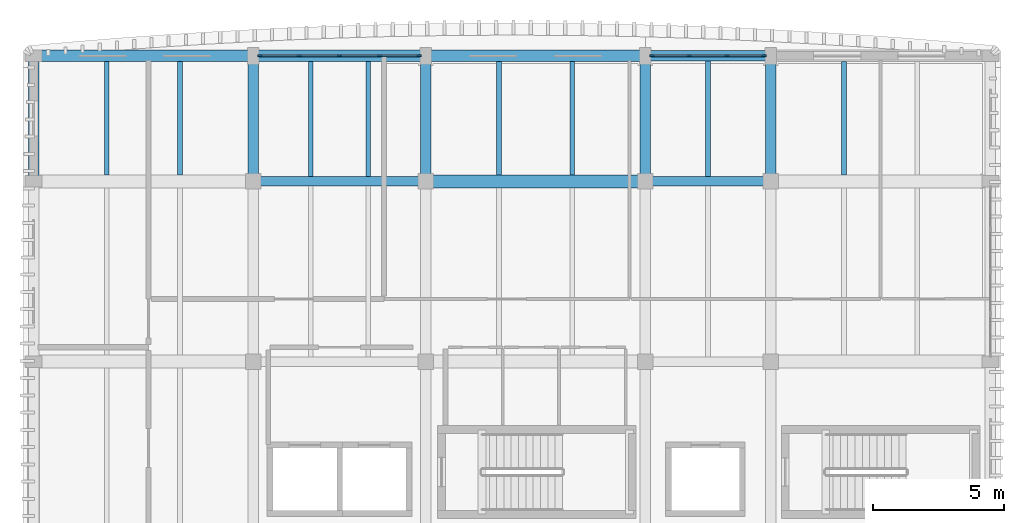
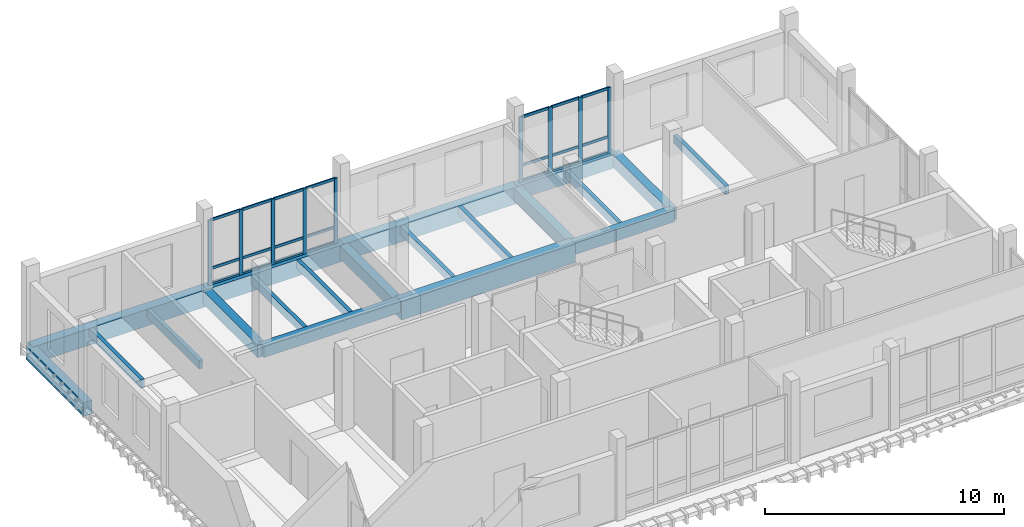
# One storey, part 4 of 16: 30 members, 20 beams, 2 elements without a shape of their own.
"""IFC4 building model written with IfcOpenShell, lengths in metres."""

from ifc_helpers import new_model, si_unit, direction, frame, origin, origin_2d, place, context, subcontext, project, spatial, rectangle, extrude, material, material_profile, profile_set, type_object, element, aggregate, save


model = new_model("IFC4")

# Units and contexts
model_context = context("Model", 3, precision=1e-05, world=origin(), true_north=direction((0.0, 1.0)))
body_context = subcontext(model_context, "Body", "Model", "MODEL_VIEW")
ifc_project = project(units=[si_unit("LENGTHUNIT", "METRE"), si_unit("AREAUNIT", "SQUARE_METRE"), si_unit("VOLUMEUNIT", "CUBIC_METRE"), si_unit("PLANEANGLEUNIT", "RADIAN"), si_unit("MASSUNIT", "GRAM", prefix="KILO")], contexts=[model_context])

# Site, building, storey
site_placement = place(None, origin())
site = spatial("IfcSite", under=ifc_project, at=site_placement, CompositionType="ELEMENT")
building_placement = place(site_placement, origin())
building = spatial("IfcBuilding", under=site, at=building_placement, Name="Dornvale Research Institute", CompositionType="ELEMENT")
storey_placement = place(building_placement, frame((0.0, 0.0, 42.60009765625)))
storey = spatial("IfcBuildingStorey", under=building, at=storey_placement, Name="L09", CompositionType="ELEMENT", Elevation=42.60009765625)

# Beams
ifc_material_1 = material(Name="Concrete f'c 45 MPa (C35/45)", Category="concrete")
ifc_material_profile_1 = material_profile(ifc_material_1, rectangle(XDim=0.35009765625, YDim=0.60009765625, at=origin_2d()), Name="RC 350x600")
ifc_profile_set_1 = profile_set([ifc_material_profile_1], Name="Concrete f'c 45 MPa (C35/45)")
beam_type_1 = type_object("IfcBeamType", Name="Beam_RC350x600_Floor", PredefinedType="BEAM", material=ifc_profile_set_1)
beam_1_placement = place(storey_placement, frame((13.199951171875, 117.300048828125, -0.300048828125), z_axis=(1.0, 0.0, 0.0), x_axis=(0.0, 1.0, 0.0)))
element("IfcBeam", 1, at=beam_1_placement, inside=storey, type_object=beam_type_1, Name="L09 primary girder #1727", PredefinedType="BEAM", context=body_context, shape_type="SweptSolid", body=[
    extrude(rectangle(XDim=0.35009765625, YDim=0.60009765625, at=origin_2d()), origin(), (0.0, 0.0, 1.0), 6.60009765625),
])
beam_2_placement = place(storey_placement, frame((28.199951171875, 117.300048828125, -0.300048828125), z_axis=(1.0, 0.0, 0.0), x_axis=(0.0, 1.0, 0.0)))
element("IfcBeam", 2, at=beam_2_placement, inside=storey, type_object=beam_type_1, Name="L09 primary girder #1729", PredefinedType="BEAM", context=body_context, shape_type="SweptSolid", body=[
    extrude(rectangle(XDim=0.35009765625, YDim=0.60009765625, at=origin_2d()), origin(), (0.0, 0.0, 1.0), 4.800048828125),
])
ifc_material_2 = material(Name="Concrete f'c 45 MPa (C35/45)", Category="concrete")
ifc_material_profile_2 = material_profile(ifc_material_2, rectangle(XDim=0.39990234375, YDim=0.64990234375, at=origin_2d()), Name="RC 400x650")
ifc_profile_set_2 = profile_set([ifc_material_profile_2], Name="Concrete f'c 45 MPa (C35/45)")
beam_type_2 = type_object("IfcBeamType", Name="Beam_RC400x650_Floor", PredefinedType="BEAM", material=ifc_profile_set_2)
for number, where, z_axis, x_axis, name in (
    (3, (13.199951171875, 117.300048828125, -0.3251953125), (0.0, 1.0, 0.0), (-1.0, 0.0, 0.0), "L09 transverse girder #1743"),
    (4, (19.800048828125, 117.300048828125, -0.3251953125), (0.0, 1.0, 0.0), (-1.0, 0.0, 0.0), "L09 transverse girder #1747"),
    (5, (28.199951171875, 117.300048828125, -0.3251953125), (0.0, 1.0, 0.0), (-1.0, 0.0, 0.0), "L09 transverse girder #1751"),
    (6, (33.0, 117.300048828125, -0.3251953125), (0.0, 1.0, 0.0), (-1.0, 0.0, 0.0), "L09 transverse girder #1755"),
):
    element("IfcBeam", number, at=place(storey_placement, frame(where, z_axis=z_axis, x_axis=x_axis)), inside=storey, type_object=beam_type_2, Name=name, PredefinedType="BEAM", context=body_context, shape_type="SweptSolid", body=[
        extrude(rectangle(XDim=0.39990234375, YDim=0.64990234375, at=origin_2d()), origin(), (0.0, 0.0, 1.0), 4.800048828125),
    ])
ifc_material_3 = material(Name="Concrete f'c 45 MPa (C35/45)", Category="concrete")
ifc_material_profile_3 = material_profile(ifc_material_3, rectangle(XDim=0.5, YDim=0.949951171875, at=origin_2d()), Name="RC 500x950")
ifc_profile_set_3 = profile_set([ifc_material_profile_3], Name="Concrete f'c 45 MPa (C35/45)")
beam_type_3 = type_object("IfcBeamType", Name="Beam_RC500x950_Girder", PredefinedType="BEAM", material=ifc_profile_set_3)
beam_3_placement = place(storey_placement, frame((19.800048828125, 117.300048828125, -0.47509765625), z_axis=(1.0, 0.0, 0.0), x_axis=(0.0, 1.0, 0.0)))
element("IfcBeam", 7, at=beam_3_placement, inside=storey, type_object=beam_type_3, Name="L09 primary girder #1728", PredefinedType="BEAM", context=body_context, shape_type="SweptSolid", body=[
    extrude(rectangle(XDim=0.5, YDim=0.949951171875, at=origin_2d()), origin(), (0.0, 0.0, 1.0), 8.39990234375),
])
ifc_material_4 = material(Name="Concrete f'c 45 MPa (C35/45)", Category="concrete")
ifc_material_profile_4 = material_profile(ifc_material_4, rectangle(XDim=0.179931640625, YDim=0.43505859375, at=origin_2d()), Name="RC 180x435")
ifc_profile_set_4 = profile_set([ifc_material_profile_4], Name="Concrete f'c 45 MPa (C35/45)")
beam_type_4 = type_object("IfcBeamType", Name="Joist_RC180x435_Rib", PredefinedType="JOIST", material=ifc_profile_set_4)
for number, where, z_axis, x_axis, name in (
    (8, (7.60009765625, 117.550048828125, -0.217529296875), (0.0, 1.0, 0.0), (-1.0, 0.0, 0.0), "L09 laboratory waffle joist #827"),
    (9, (10.39990234375, 117.550048828125, -0.217529296875), (0.0, 1.0, 0.0), (-1.0, 0.0, 0.0), "L09 laboratory waffle joist #828"),
):
    element("IfcBeam", number, at=place(storey_placement, frame(where, z_axis=z_axis, x_axis=x_axis)), inside=storey, type_object=beam_type_4, Name=name, PredefinedType="JOIST", context=body_context, shape_type="SweptSolid", body=[
        extrude(rectangle(XDim=0.179931640625, YDim=0.43505859375, at=origin_2d()), origin(), (0.0, 0.0, 1.0), 4.324951171875),
    ])
for number, where, z_axis, x_axis, name in (
    (10, (15.39990234375, 117.47509765625, -0.217529296875), (0.0, 1.0, 0.0), (-1.0, 0.0, 0.0), "L09 laboratory waffle joist #833"),
    (11, (17.60009765625, 117.47509765625, -0.217529296875), (0.0, 1.0, 0.0), (-1.0, 0.0, 0.0), "L09 laboratory waffle joist #834"),
):
    element("IfcBeam", number, at=place(storey_placement, frame(where, z_axis=z_axis, x_axis=x_axis)), inside=storey, type_object=beam_type_4, Name=name, PredefinedType="JOIST", context=body_context, shape_type="SweptSolid", body=[
        extrude(rectangle(XDim=0.179931640625, YDim=0.43505859375, at=origin_2d()), origin(), (0.0, 0.0, 1.0), 4.39990234375),
    ])
for number, where, z_axis, x_axis, name in (
    (12, (22.60009765625, 117.550048828125, -0.217529296875), (0.0, 1.0, 0.0), (-1.0, 0.0, 0.0), "L09 laboratory waffle joist #839"),
    (13, (25.39990234375, 117.550048828125, -0.217529296875), (0.0, 1.0, 0.0), (-1.0, 0.0, 0.0), "L09 laboratory waffle joist #840"),
):
    element("IfcBeam", number, at=place(storey_placement, frame(where, z_axis=z_axis, x_axis=x_axis)), inside=storey, type_object=beam_type_4, Name=name, PredefinedType="JOIST", context=body_context, shape_type="SweptSolid", body=[
        extrude(rectangle(XDim=0.179931640625, YDim=0.43505859375, at=origin_2d()), origin(), (0.0, 0.0, 1.0), 4.324951171875),
    ])
beam_4_placement = place(storey_placement, frame((30.60009765625, 117.47509765625, -0.217529296875), z_axis=(0.0, 1.0, 0.0), x_axis=(-1.0, 0.0, 0.0)))
element("IfcBeam", 14, at=beam_4_placement, inside=storey, type_object=beam_type_4, Name="L09 laboratory waffle joist #843", PredefinedType="JOIST", context=body_context, shape_type="SweptSolid", body=[
    extrude(rectangle(XDim=0.179931640625, YDim=0.43505859375, at=origin_2d()), origin(), (0.0, 0.0, 1.0), 4.4248046875),
])
beam_5_placement = place(storey_placement, frame((35.800048828125, 117.550048828125, -0.217529296875), z_axis=(0.0, 1.0, 0.0), x_axis=(-1.0, 0.0, 0.0)))
element("IfcBeam", 15, at=beam_5_placement, inside=storey, type_object=beam_type_4, Name="L09 laboratory waffle joist #848", PredefinedType="JOIST", context=body_context, shape_type="SweptSolid", body=[
    extrude(rectangle(XDim=0.179931640625, YDim=0.43505859375, at=origin_2d()), origin(), (0.0, 0.0, 1.0), 4.324951171875),
])

# Curtain wall, members
ifc_material_5 = material(Name="Low-E Argon Double Insulating Glazing Unit", Category="glass")
curtain_wall_type_1 = type_object("IfcCurtainWallType", Name="UnitisedCurtainWall_V5_6150x3350", PredefinedType="USERDEFINED", material=ifc_material_5)
curtain_wall_1_placement = place(storey_placement, origin())
curtain_wall_1 = element("IfcCurtainWall", 16, at=curtain_wall_1_placement, inside=storey, type_object=curtain_wall_type_1, Name="L09 V5 unitised curtain wall CW-34 #195", ObjectType="UNITISED CURTAIN WALL", PredefinedType="USERDEFINED")
ifc_material_6 = material(Name="Anodized Aluminum AA 6063-T6 Thermally Broken Frame", Category="aluminium")
ifc_material_profile_5 = material_profile(ifc_material_6, rectangle(XDim=0.06494140625, YDim=0.179931640625, at=origin_2d()), Name="ALU MULLION 65x180")
ifc_profile_set_5 = profile_set([ifc_material_profile_5], Name="Anodized Aluminum AA 6063-T6 Thermally Broken Frame")
member_type_1 = type_object("IfcMemberType", Name="Mullion_CW_65x180", PredefinedType="MULLION", material=ifc_profile_set_5)
member_1_placement = place(storey_placement, frame((13.45751953125, 122.10009765625, 0.0), z_axis=(0.0, 0.0, 1.0), x_axis=(0.0, 1.0, 0.0)))
member_1 = element("IfcMember", 17, at=member_1_placement, type_object=member_type_1, Name="CW-34 mullion 1", PredefinedType="MULLION", context=body_context, shape_type="SweptSolid", body=[
    extrude(rectangle(XDim=0.06494140625, YDim=0.179931640625, at=origin_2d()), origin(), (0.0, 0.0, 1.0), 3.349853515625),
])
member_2_placement = place(storey_placement, frame((14.96240234375, 122.10009765625, 0.0), z_axis=(0.0, 0.0, 1.0), x_axis=(0.0, 1.0, 0.0)))
member_2 = element("IfcMember", 18, at=member_2_placement, type_object=member_type_1, Name="CW-34 mullion 2", PredefinedType="MULLION", context=body_context, shape_type="SweptSolid", body=[
    extrude(rectangle(XDim=0.06494140625, YDim=0.179931640625, at=origin_2d()), origin(), (0.0, 0.0, 1.0), 3.349853515625),
])
member_3_placement = place(storey_placement, frame((16.5, 122.10009765625, 0.0), z_axis=(0.0, 0.0, 1.0), x_axis=(0.0, 1.0, 0.0)))
member_3 = element("IfcMember", 19, at=member_3_placement, type_object=member_type_1, Name="CW-34 mullion 3", PredefinedType="MULLION", context=body_context, shape_type="SweptSolid", body=[
    extrude(rectangle(XDim=0.06494140625, YDim=0.179931640625, at=origin_2d()), origin(), (0.0, 0.0, 1.0), 3.349853515625),
])
member_4_placement = place(storey_placement, frame((18.03759765625, 122.10009765625, 0.0), z_axis=(0.0, 0.0, 1.0), x_axis=(0.0, 1.0, 0.0)))
member_4 = element("IfcMember", 20, at=member_4_placement, type_object=member_type_1, Name="CW-34 mullion 4", PredefinedType="MULLION", context=body_context, shape_type="SweptSolid", body=[
    extrude(rectangle(XDim=0.06494140625, YDim=0.179931640625, at=origin_2d()), origin(), (0.0, 0.0, 1.0), 3.349853515625),
])
member_5_placement = place(storey_placement, frame((19.54248046875, 122.10009765625, 0.0), z_axis=(0.0, 0.0, 1.0), x_axis=(0.0, 1.0, 0.0)))
member_5 = element("IfcMember", 21, at=member_5_placement, type_object=member_type_1, Name="CW-34 mullion 5", PredefinedType="MULLION", context=body_context, shape_type="SweptSolid", body=[
    extrude(rectangle(XDim=0.06494140625, YDim=0.179931640625, at=origin_2d()), origin(), (0.0, 0.0, 1.0), 3.349853515625),
])

ifc_material_7 = material(Name="Low-E Argon Double Insulating Glazing Unit", Category="glass")
curtain_wall_type_2 = type_object("IfcCurtainWallType", Name="UnitisedCurtainWall_V5_4350x3350", PredefinedType="USERDEFINED", material=ifc_material_7)
curtain_wall_2_placement = place(storey_placement, origin())
curtain_wall_2 = element("IfcCurtainWall", 22, at=curtain_wall_2_placement, inside=storey, type_object=curtain_wall_type_2, Name="L09 V5 unitised curtain wall CW-35 #196", ObjectType="UNITISED CURTAIN WALL", PredefinedType="USERDEFINED")
member_6_placement = place(storey_placement, frame((28.45751953125, 122.10009765625, 0.0), z_axis=(0.0, 0.0, 1.0), x_axis=(0.0, 1.0, 0.0)))
member_6 = element("IfcMember", 23, at=member_6_placement, type_object=member_type_1, Name="CW-35 mullion 1", PredefinedType="MULLION", context=body_context, shape_type="SweptSolid", body=[
    extrude(rectangle(XDim=0.06494140625, YDim=0.179931640625, at=origin_2d()), origin(), (0.0, 0.0, 1.0), 3.349853515625),
])
member_7_placement = place(storey_placement, frame((29.875, 122.10009765625, 0.0), z_axis=(0.0, 0.0, 1.0), x_axis=(0.0, 1.0, 0.0)))
member_7 = element("IfcMember", 24, at=member_7_placement, type_object=member_type_1, Name="CW-35 mullion 2", PredefinedType="MULLION", context=body_context, shape_type="SweptSolid", body=[
    extrude(rectangle(XDim=0.06494140625, YDim=0.179931640625, at=origin_2d()), origin(), (0.0, 0.0, 1.0), 3.349853515625),
])
member_8_placement = place(storey_placement, frame((31.324951171875, 122.10009765625, 0.0), z_axis=(0.0, 0.0, 1.0), x_axis=(0.0, 1.0, 0.0)))
member_8 = element("IfcMember", 25, at=member_8_placement, type_object=member_type_1, Name="CW-35 mullion 3", PredefinedType="MULLION", context=body_context, shape_type="SweptSolid", body=[
    extrude(rectangle(XDim=0.06494140625, YDim=0.179931640625, at=origin_2d()), origin(), (0.0, 0.0, 1.0), 3.349853515625),
])
member_9_placement = place(storey_placement, frame((32.742431640625, 122.10009765625, 0.0), z_axis=(0.0, 0.0, 1.0), x_axis=(0.0, 1.0, 0.0)))
member_9 = element("IfcMember", 26, at=member_9_placement, type_object=member_type_1, Name="CW-35 mullion 4", PredefinedType="MULLION", context=body_context, shape_type="SweptSolid", body=[
    extrude(rectangle(XDim=0.06494140625, YDim=0.179931640625, at=origin_2d()), origin(), (0.0, 0.0, 1.0), 3.349853515625),
])

# Beams
ifc_material_8 = material(Name="Concrete f'c 45 MPa (C35/45)", Category="concrete")
ifc_material_profile_6 = material_profile(ifc_material_8, rectangle(XDim=0.39990234375, YDim=0.699951171875, at=origin_2d()), Name="RC 400x700")
ifc_profile_set_6 = profile_set([ifc_material_profile_6], Name="Concrete f'c 45 MPa (C35/45)")
beam_type_5 = type_object("IfcBeamType", Name="Spandrel_RC400x700_Ext", PredefinedType="SPANDREL", material=ifc_profile_set_6)
for number, where, z_axis, x_axis, name in (
    (27, (28.199951171875, 122.10009765625, -0.35009765625), (1.0, 0.0, 0.0), (0.0, 1.0, 0.0), "L09 perimeter spandrel #1734"),
    (28, (4.800048828125, 117.300048828125, -0.35009765625), (0.0, 1.0, 0.0), (-1.0, 0.0, 0.0), "L09 perimeter spandrel #1739"),
):
    element("IfcBeam", number, at=place(storey_placement, frame(where, z_axis=z_axis, x_axis=x_axis)), inside=storey, type_object=beam_type_5, Name=name, PredefinedType="SPANDREL", context=body_context, shape_type="SweptSolid", body=[
        extrude(rectangle(XDim=0.39990234375, YDim=0.699951171875, at=origin_2d()), origin(), (0.0, 0.0, 1.0), 4.800048828125),
    ])
ifc_material_9 = material(Name="Concrete f'c 45 MPa (C35/45)", Category="concrete")
ifc_material_profile_7 = material_profile(ifc_material_9, rectangle(XDim=0.449951171875, YDim=0.85009765625, at=origin_2d()), Name="RC 450x850")
ifc_profile_set_7 = profile_set([ifc_material_profile_7], Name="Concrete f'c 45 MPa (C35/45)")
beam_type_6 = type_object("IfcBeamType", Name="Spandrel_RC450x850_Ext", PredefinedType="SPANDREL", material=ifc_profile_set_7)
beam_6_placement = place(storey_placement, frame((4.800048828125, 122.10009765625, -0.425048828125), z_axis=(1.0, 0.0, 0.0), x_axis=(0.0, 1.0, 0.0)))
element("IfcBeam", 29, at=beam_6_placement, inside=storey, type_object=beam_type_6, Name="L09 perimeter spandrel #1731", PredefinedType="SPANDREL", context=body_context, shape_type="SweptSolid", body=[
    extrude(rectangle(XDim=0.449951171875, YDim=0.85009765625, at=origin_2d()), origin(), (0.0, 0.0, 1.0), 8.39990234375),
])
beam_7_placement = place(storey_placement, frame((13.199951171875, 122.10009765625, -0.425048828125), z_axis=(1.0, 0.0, 0.0), x_axis=(0.0, 1.0, 0.0)))
element("IfcBeam", 30, at=beam_7_placement, inside=storey, type_object=beam_type_6, Name="L09 perimeter spandrel #1732", PredefinedType="SPANDREL", context=body_context, shape_type="SweptSolid", body=[
    extrude(rectangle(XDim=0.449951171875, YDim=0.85009765625, at=origin_2d()), origin(), (0.0, 0.0, 1.0), 6.60009765625),
])
beam_8_placement = place(storey_placement, frame((19.800048828125, 122.10009765625, -0.425048828125), z_axis=(1.0, 0.0, 0.0), x_axis=(0.0, 1.0, 0.0)))
element("IfcBeam", 31, at=beam_8_placement, inside=storey, type_object=beam_type_6, Name="L09 perimeter spandrel #1733", PredefinedType="SPANDREL", context=body_context, shape_type="SweptSolid", body=[
    extrude(rectangle(XDim=0.449951171875, YDim=0.85009765625, at=origin_2d()), origin(), (0.0, 0.0, 1.0), 8.39990234375),
])

# Member
ifc_material_10 = material(Name="Anodized Aluminum AA 6063-T6 Thermally Broken Frame", Category="aluminium")
ifc_material_profile_8 = material_profile(ifc_material_10, rectangle(XDim=0.06494140625, YDim=0.135009765625, at=origin_2d()), Name="ALU TRANSOM 65x135")
ifc_profile_set_8 = profile_set([ifc_material_profile_8], Name="Anodized Aluminum AA 6063-T6 Thermally Broken Frame")
member_type_2 = type_object("IfcMemberType", Name="Transom_CW_65x135", PredefinedType="USERDEFINED", material=ifc_profile_set_8)
member_10_placement = place(storey_placement, frame((13.489990234375, 122.10009765625, 0.032470703125), z_axis=(1.0, 0.0, 0.0), x_axis=(0.0, 1.0, 0.0)))
member_10 = element("IfcMember", 32, at=member_10_placement, type_object=member_type_2, Name="CW-34 transom 1.1", ObjectType="TRANSOM", PredefinedType="USERDEFINED", context=body_context, shape_type="SweptSolid", body=[
    extrude(rectangle(XDim=0.06494140625, YDim=0.135009765625, at=origin_2d()), origin(), (0.0, 0.0, 1.0), 1.43994140625),
])

member_11_placement = place(storey_placement, frame((13.489990234375, 122.10009765625, 0.849853515625), z_axis=(1.0, 0.0, 0.0), x_axis=(0.0, 1.0, 0.0)))
member_11 = element("IfcMember", 33, at=member_11_placement, type_object=member_type_2, Name="CW-34 transom 1.2", ObjectType="TRANSOM", PredefinedType="USERDEFINED", context=body_context, shape_type="SweptSolid", body=[
    extrude(rectangle(XDim=0.06494140625, YDim=0.135009765625, at=origin_2d()), origin(), (0.0, 0.0, 1.0), 1.43994140625),
])

member_12_placement = place(storey_placement, frame((13.489990234375, 122.10009765625, 3.3173828125), z_axis=(1.0, 0.0, 0.0), x_axis=(0.0, 1.0, 0.0)))
member_12 = element("IfcMember", 34, at=member_12_placement, type_object=member_type_2, Name="CW-34 transom 1.3", ObjectType="TRANSOM", PredefinedType="USERDEFINED", context=body_context, shape_type="SweptSolid", body=[
    extrude(rectangle(XDim=0.06494140625, YDim=0.135009765625, at=origin_2d()), origin(), (0.0, 0.0, 1.0), 1.43994140625),
])

member_13_placement = place(storey_placement, frame((14.9951171875, 122.10009765625, 0.032470703125), z_axis=(1.0, 0.0, 0.0), x_axis=(0.0, 1.0, 0.0)))
member_13 = element("IfcMember", 35, at=member_13_placement, type_object=member_type_2, Name="CW-34 transom 2.1", ObjectType="TRANSOM", PredefinedType="USERDEFINED", context=body_context, shape_type="SweptSolid", body=[
    extrude(rectangle(XDim=0.06494140625, YDim=0.135009765625, at=origin_2d()), origin(), (0.0, 0.0, 1.0), 1.472412109375),
])

member_14_placement = place(storey_placement, frame((14.9951171875, 122.10009765625, 0.849853515625), z_axis=(1.0, 0.0, 0.0), x_axis=(0.0, 1.0, 0.0)))
member_14 = element("IfcMember", 36, at=member_14_placement, type_object=member_type_2, Name="CW-34 transom 2.2", ObjectType="TRANSOM", PredefinedType="USERDEFINED", context=body_context, shape_type="SweptSolid", body=[
    extrude(rectangle(XDim=0.06494140625, YDim=0.135009765625, at=origin_2d()), origin(), (0.0, 0.0, 1.0), 1.472412109375),
])

member_15_placement = place(storey_placement, frame((14.9951171875, 122.10009765625, 3.3173828125), z_axis=(1.0, 0.0, 0.0), x_axis=(0.0, 1.0, 0.0)))
member_15 = element("IfcMember", 37, at=member_15_placement, type_object=member_type_2, Name="CW-34 transom 2.3", ObjectType="TRANSOM", PredefinedType="USERDEFINED", context=body_context, shape_type="SweptSolid", body=[
    extrude(rectangle(XDim=0.06494140625, YDim=0.135009765625, at=origin_2d()), origin(), (0.0, 0.0, 1.0), 1.472412109375),
])

member_16_placement = place(storey_placement, frame((16.532470703125, 122.10009765625, 0.032470703125), z_axis=(1.0, 0.0, 0.0), x_axis=(0.0, 1.0, 0.0)))
member_16 = element("IfcMember", 38, at=member_16_placement, type_object=member_type_2, Name="CW-34 transom 3.1", ObjectType="TRANSOM", PredefinedType="USERDEFINED", context=body_context, shape_type="SweptSolid", body=[
    extrude(rectangle(XDim=0.06494140625, YDim=0.135009765625, at=origin_2d()), origin(), (0.0, 0.0, 1.0), 1.472412109375),
])

member_17_placement = place(storey_placement, frame((16.532470703125, 122.10009765625, 0.849853515625), z_axis=(1.0, 0.0, 0.0), x_axis=(0.0, 1.0, 0.0)))
member_17 = element("IfcMember", 39, at=member_17_placement, type_object=member_type_2, Name="CW-34 transom 3.2", ObjectType="TRANSOM", PredefinedType="USERDEFINED", context=body_context, shape_type="SweptSolid", body=[
    extrude(rectangle(XDim=0.06494140625, YDim=0.135009765625, at=origin_2d()), origin(), (0.0, 0.0, 1.0), 1.472412109375),
])

member_18_placement = place(storey_placement, frame((16.532470703125, 122.10009765625, 3.3173828125), z_axis=(1.0, 0.0, 0.0), x_axis=(0.0, 1.0, 0.0)))
member_18 = element("IfcMember", 40, at=member_18_placement, type_object=member_type_2, Name="CW-34 transom 3.3", ObjectType="TRANSOM", PredefinedType="USERDEFINED", context=body_context, shape_type="SweptSolid", body=[
    extrude(rectangle(XDim=0.06494140625, YDim=0.135009765625, at=origin_2d()), origin(), (0.0, 0.0, 1.0), 1.472412109375),
])

member_19_placement = place(storey_placement, frame((18.070068359375, 122.10009765625, 0.032470703125), z_axis=(1.0, 0.0, 0.0), x_axis=(0.0, 1.0, 0.0)))
member_19 = element("IfcMember", 41, at=member_19_placement, type_object=member_type_2, Name="CW-34 transom 4.1", ObjectType="TRANSOM", PredefinedType="USERDEFINED", context=body_context, shape_type="SweptSolid", body=[
    extrude(rectangle(XDim=0.06494140625, YDim=0.135009765625, at=origin_2d()), origin(), (0.0, 0.0, 1.0), 1.43994140625),
])

member_20_placement = place(storey_placement, frame((18.070068359375, 122.10009765625, 0.849853515625), z_axis=(1.0, 0.0, 0.0), x_axis=(0.0, 1.0, 0.0)))
member_20 = element("IfcMember", 42, at=member_20_placement, type_object=member_type_2, Name="CW-34 transom 4.2", ObjectType="TRANSOM", PredefinedType="USERDEFINED", context=body_context, shape_type="SweptSolid", body=[
    extrude(rectangle(XDim=0.06494140625, YDim=0.135009765625, at=origin_2d()), origin(), (0.0, 0.0, 1.0), 1.43994140625),
])

member_21_placement = place(storey_placement, frame((18.070068359375, 122.10009765625, 3.3173828125), z_axis=(1.0, 0.0, 0.0), x_axis=(0.0, 1.0, 0.0)))
member_21 = element("IfcMember", 43, at=member_21_placement, type_object=member_type_2, Name="CW-34 transom 4.3", ObjectType="TRANSOM", PredefinedType="USERDEFINED", context=body_context, shape_type="SweptSolid", body=[
    extrude(rectangle(XDim=0.06494140625, YDim=0.135009765625, at=origin_2d()), origin(), (0.0, 0.0, 1.0), 1.43994140625),
])

aggregate(curtain_wall_1, [member_1, member_2, member_3, member_4, member_5, member_10, member_11, member_12, member_13, member_14, member_15, member_16, member_17, member_18, member_19, member_20, member_21])

member_22_placement = place(storey_placement, frame((28.489990234375, 122.10009765625, 0.032470703125), z_axis=(1.0, 0.0, 0.0), x_axis=(0.0, 1.0, 0.0)))
member_22 = element("IfcMember", 44, at=member_22_placement, type_object=member_type_2, Name="CW-35 transom 1.1", ObjectType="TRANSOM", PredefinedType="USERDEFINED", context=body_context, shape_type="SweptSolid", body=[
    extrude(rectangle(XDim=0.06494140625, YDim=0.135009765625, at=origin_2d()), origin(), (0.0, 0.0, 1.0), 1.3525390625),
])

member_23_placement = place(storey_placement, frame((28.489990234375, 122.10009765625, 0.849853515625), z_axis=(1.0, 0.0, 0.0), x_axis=(0.0, 1.0, 0.0)))
member_23 = element("IfcMember", 45, at=member_23_placement, type_object=member_type_2, Name="CW-35 transom 1.2", ObjectType="TRANSOM", PredefinedType="USERDEFINED", context=body_context, shape_type="SweptSolid", body=[
    extrude(rectangle(XDim=0.06494140625, YDim=0.135009765625, at=origin_2d()), origin(), (0.0, 0.0, 1.0), 1.3525390625),
])

member_24_placement = place(storey_placement, frame((28.489990234375, 122.10009765625, 3.3173828125), z_axis=(1.0, 0.0, 0.0), x_axis=(0.0, 1.0, 0.0)))
member_24 = element("IfcMember", 46, at=member_24_placement, type_object=member_type_2, Name="CW-35 transom 1.3", ObjectType="TRANSOM", PredefinedType="USERDEFINED", context=body_context, shape_type="SweptSolid", body=[
    extrude(rectangle(XDim=0.06494140625, YDim=0.135009765625, at=origin_2d()), origin(), (0.0, 0.0, 1.0), 1.3525390625),
])

member_25_placement = place(storey_placement, frame((29.907470703125, 122.10009765625, 0.032470703125), z_axis=(1.0, 0.0, 0.0), x_axis=(0.0, 1.0, 0.0)))
member_25 = element("IfcMember", 47, at=member_25_placement, type_object=member_type_2, Name="CW-35 transom 2.1", ObjectType="TRANSOM", PredefinedType="USERDEFINED", context=body_context, shape_type="SweptSolid", body=[
    extrude(rectangle(XDim=0.06494140625, YDim=0.135009765625, at=origin_2d()), origin(), (0.0, 0.0, 1.0), 1.385009765625),
])

member_26_placement = place(storey_placement, frame((29.907470703125, 122.10009765625, 0.849853515625), z_axis=(1.0, 0.0, 0.0), x_axis=(0.0, 1.0, 0.0)))
member_26 = element("IfcMember", 48, at=member_26_placement, type_object=member_type_2, Name="CW-35 transom 2.2", ObjectType="TRANSOM", PredefinedType="USERDEFINED", context=body_context, shape_type="SweptSolid", body=[
    extrude(rectangle(XDim=0.06494140625, YDim=0.135009765625, at=origin_2d()), origin(), (0.0, 0.0, 1.0), 1.385009765625),
])

member_27_placement = place(storey_placement, frame((29.907470703125, 122.10009765625, 3.3173828125), z_axis=(1.0, 0.0, 0.0), x_axis=(0.0, 1.0, 0.0)))
member_27 = element("IfcMember", 49, at=member_27_placement, type_object=member_type_2, Name="CW-35 transom 2.3", ObjectType="TRANSOM", PredefinedType="USERDEFINED", context=body_context, shape_type="SweptSolid", body=[
    extrude(rectangle(XDim=0.06494140625, YDim=0.135009765625, at=origin_2d()), origin(), (0.0, 0.0, 1.0), 1.385009765625),
])

member_28_placement = place(storey_placement, frame((31.357421875, 122.10009765625, 0.032470703125), z_axis=(1.0, 0.0, 0.0), x_axis=(0.0, 1.0, 0.0)))
member_28 = element("IfcMember", 50, at=member_28_placement, type_object=member_type_2, Name="CW-35 transom 3.1", ObjectType="TRANSOM", PredefinedType="USERDEFINED", context=body_context, shape_type="SweptSolid", body=[
    extrude(rectangle(XDim=0.06494140625, YDim=0.135009765625, at=origin_2d()), origin(), (0.0, 0.0, 1.0), 1.3525390625),
])

member_29_placement = place(storey_placement, frame((31.357421875, 122.10009765625, 0.849853515625), z_axis=(1.0, 0.0, 0.0), x_axis=(0.0, 1.0, 0.0)))
member_29 = element("IfcMember", 51, at=member_29_placement, type_object=member_type_2, Name="CW-35 transom 3.2", ObjectType="TRANSOM", PredefinedType="USERDEFINED", context=body_context, shape_type="SweptSolid", body=[
    extrude(rectangle(XDim=0.06494140625, YDim=0.135009765625, at=origin_2d()), origin(), (0.0, 0.0, 1.0), 1.3525390625),
])

member_30_placement = place(storey_placement, frame((31.357421875, 122.10009765625, 3.3173828125), z_axis=(1.0, 0.0, 0.0), x_axis=(0.0, 1.0, 0.0)))
member_30 = element("IfcMember", 52, at=member_30_placement, type_object=member_type_2, Name="CW-35 transom 3.3", ObjectType="TRANSOM", PredefinedType="USERDEFINED", context=body_context, shape_type="SweptSolid", body=[
    extrude(rectangle(XDim=0.06494140625, YDim=0.135009765625, at=origin_2d()), origin(), (0.0, 0.0, 1.0), 1.3525390625),
])

aggregate(curtain_wall_2, [member_6, member_7, member_8, member_9, member_22, member_23, member_24, member_25, member_26, member_27, member_28, member_29, member_30])

save(model, "model.ifc")
